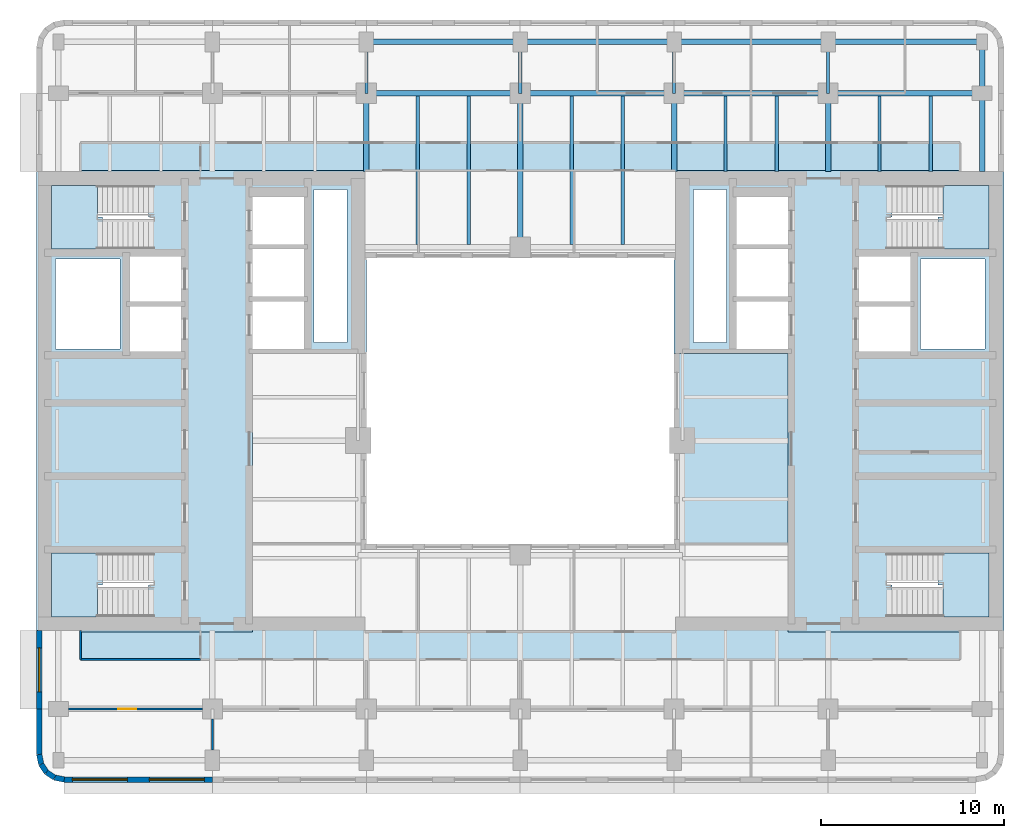
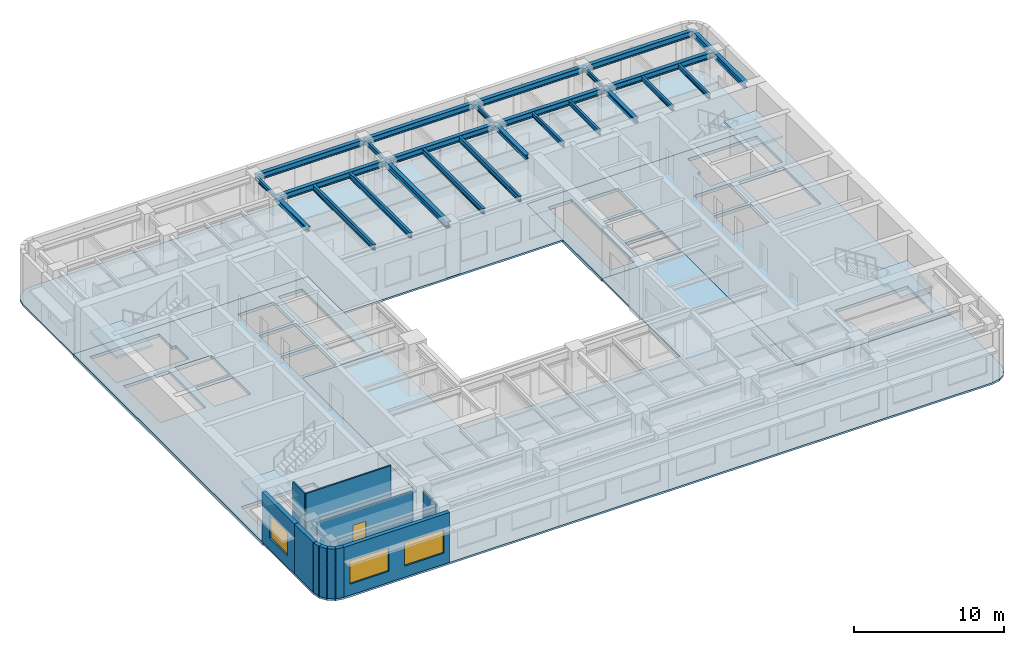
# One storey, part 2 of 11: 26 beams, 11 walls, 8 slabs, 3 windows, 1 door, 4 openings, 4 elements without a shape of their own.
"""IFC4 building model written with IfcOpenShell, lengths in metres."""

from ifc_helpers import new_model, si_unit, direction, frame, frame_2d, origin, origin_2d, place, context, subcontext, project, spatial, polyline, rectangle, i_section, outline, extrude, material, layer, layer_set, material_profile, profile_set, type_object, element, fill, aggregate, save


model = new_model("IFC4")

# Units and contexts
model_context = context("Model", 3, precision=1e-05, world=origin(), true_north=direction((0.0, 1.0)))
body_context = subcontext(model_context, "Body", "Model", "MODEL_VIEW")
ifc_project = project(units=[si_unit("LENGTHUNIT", "METRE"), si_unit("AREAUNIT", "SQUARE_METRE"), si_unit("VOLUMEUNIT", "CUBIC_METRE"), si_unit("PLANEANGLEUNIT", "RADIAN"), si_unit("MASSUNIT", "GRAM", prefix="KILO")], contexts=[model_context])

# Site, building, storey
site_placement = place(None, origin())
site = spatial("IfcSite", under=ifc_project, at=site_placement, CompositionType="ELEMENT")
building_placement = place(site_placement, origin())
building = spatial("IfcBuilding", under=site, at=building_placement, Name="Claustro Exchange Tower", CompositionType="ELEMENT")
storey_placement = place(building_placement, frame((0.0, 0.0, 219.60009765625)))
storey = spatial("IfcBuildingStorey", under=building, at=storey_placement, Name="L50", CompositionType="ELEMENT", Elevation=219.60009765625)

# Beams
ifc_material_1 = material(Name="Steel S355", Category="steel")
ifc_material_profile_1 = material_profile(ifc_material_1, i_section(OverallWidth=0.169921875, OverallDepth=0.360107421875, WebThickness=0.008056640625, FlangeThickness=0.0126953125, FilletRadius=0.01806640625, at=origin_2d()), Name="IPE 360")
ifc_profile_set_1 = profile_set([ifc_material_profile_1], Name="Steel S355")
beam_type_1 = type_object("IfcBeamType", Name="B16 IPE 360 short-span beam", PredefinedType="BEAM", material=ifc_profile_set_1)
for number, where, z_axis, x_axis, name in (
    (1, (16.800048828125, 42.0, 3.869873046875), (0.0, 1.0, 0.0), (-1.0, 0.0, 0.0), "Beam B16 L51"),
    (2, (25.199951171875, 42.0, 3.869873046875), (0.0, 1.0, 0.0), (-1.0, 0.0, 0.0), "Beam B16 L51"),
    (3, (33.60009765625, 42.0, 3.869873046875), (0.0, 1.0, 0.0), (-1.0, 0.0, 0.0), "Beam B16 L51"),
    (4, (42.0, 42.0, 3.869873046875), (0.0, 1.0, 0.0), (-1.0, 0.0, 0.0), "Beam B16 L51"),
):
    element("IfcBeam", number, at=place(storey_placement, frame(where, z_axis=z_axis, x_axis=x_axis)), inside=storey, type_object=beam_type_1, Name=name, PredefinedType="BEAM", context=body_context, shape_type="SweptSolid", body=[
        extrude(i_section(OverallWidth=0.169921875, OverallDepth=0.360107421875, WebThickness=0.008056640625, FlangeThickness=0.0126953125, FilletRadius=0.01806640625, at=origin_2d()), origin(), (0.0, 0.0, 1.0), 2.800048828125),
    ])
for number, where, z_axis, x_axis, name in (
    (5, (36.39990234375, 37.72509765625, 3.869873046875), (0.0, 1.0, 0.0), (-1.0, 0.0, 0.0), "Beam B16 L51"),
    (6, (39.199951171875, 37.72509765625, 3.869873046875), (0.0, 1.0, 0.0), (-1.0, 0.0, 0.0), "Beam B16 L51"),
    (7, (44.800048828125, 37.72509765625, 3.869873046875), (0.0, 1.0, 0.0), (-1.0, 0.0, 0.0), "Beam B16 L51"),
    (8, (47.60009765625, 37.72509765625, 3.869873046875), (0.0, 1.0, 0.0), (-1.0, 0.0, 0.0), "Beam B16 L51"),
):
    element("IfcBeam", number, at=place(storey_placement, frame(where, z_axis=z_axis, x_axis=x_axis)), inside=storey, type_object=beam_type_1, Name=name, PredefinedType="BEAM", context=body_context, shape_type="SweptSolid", body=[
        extrude(i_section(OverallWidth=0.169921875, OverallDepth=0.360107421875, WebThickness=0.008056640625, FlangeThickness=0.0126953125, FilletRadius=0.01806640625, at=origin_2d()), origin(), (0.0, 0.0, 1.0), 4.125),
    ])
ifc_material_2 = material(Name="Steel S355", Category="steel")
ifc_material_profile_2 = material_profile(ifc_material_2, i_section(OverallWidth=0.300048828125, OverallDepth=0.360107421875, WebThickness=0.012451171875, FlangeThickness=0.0224609375, FilletRadius=0.027099609375, at=origin_2d()), Name="HE 360 B")
ifc_profile_set_2 = profile_set([ifc_material_profile_2], Name="Steel S355")
beam_type_2 = type_object("IfcBeamType", Name="B29 HE 360 B column to core link beam", PredefinedType="BEAM", material=ifc_profile_set_2)
for number, where, z_axis, x_axis, name in (
    (9, (16.800048828125, 37.72509765625, 3.869873046875), (0.0, 1.0, 0.0), (-1.0, 0.0, 0.0), "Beam B29 L51"),
    (10, (33.60009765625, 37.72509765625, 3.869873046875), (0.0, 1.0, 0.0), (-1.0, 0.0, 0.0), "Beam B29 L51"),
    (11, (42.0, 37.72509765625, 3.869873046875), (0.0, 1.0, 0.0), (-1.0, 0.0, 0.0), "Beam B29 L51"),
):
    element("IfcBeam", number, at=place(storey_placement, frame(where, z_axis=z_axis, x_axis=x_axis)), inside=storey, type_object=beam_type_2, Name=name, PredefinedType="BEAM", context=body_context, shape_type="SweptSolid", body=[
        extrude(i_section(OverallWidth=0.300048828125, OverallDepth=0.360107421875, WebThickness=0.012451171875, FlangeThickness=0.0224609375, FilletRadius=0.027099609375, at=origin_2d()), origin(), (0.0, 0.0, 1.0), 4.27490234375),
    ])
ifc_material_3 = material(Name="Steel S355", Category="steel")
ifc_material_profile_3 = material_profile(ifc_material_3, i_section(OverallWidth=0.300048828125, OverallDepth=0.5, WebThickness=0.014404296875, FlangeThickness=0.028076171875, FilletRadius=0.027099609375, at=origin_2d()), Name="HE 500 B")
ifc_profile_set_3 = profile_set([ifc_material_profile_3], Name="Steel S355")
beam_type_3 = type_object("IfcBeamType", Name="B7 HE 500 B floor girder", PredefinedType="BEAM", material=ifc_profile_set_3)
for number, where, z_axis, x_axis, name in (
    (12, (25.199951171875, 33.60009765625, 3.7998046875), (0.0, 1.0, 0.0), (-1.0, 0.0, 0.0), "Beam B7 L51"),
    (13, (16.800048828125, 42.0, 3.7998046875), (1.0, 0.0, 0.0), (0.0, 1.0, 0.0), "Beam B7 L51"),
):
    element("IfcBeam", number, at=place(storey_placement, frame(where, z_axis=z_axis, x_axis=x_axis)), inside=storey, type_object=beam_type_3, Name=name, PredefinedType="BEAM", context=body_context, shape_type="SweptSolid", body=[
        extrude(i_section(OverallWidth=0.300048828125, OverallDepth=0.5, WebThickness=0.014404296875, FlangeThickness=0.028076171875, FilletRadius=0.027099609375, at=origin_2d()), origin(), (0.0, 0.0, 1.0), 8.39990234375),
    ])
beam_1_placement = place(storey_placement, frame((25.199951171875, 42.0, 3.7998046875), z_axis=(1.0, 0.0, 0.0), x_axis=(0.0, 1.0, 0.0)))
element("IfcBeam", 14, at=beam_1_placement, inside=storey, type_object=beam_type_3, Name="Beam B7 L51", PredefinedType="BEAM", context=body_context, shape_type="SweptSolid", body=[
    extrude(i_section(OverallWidth=0.300048828125, OverallDepth=0.5, WebThickness=0.014404296875, FlangeThickness=0.028076171875, FilletRadius=0.027099609375, at=origin_2d()), origin(), (0.0, 0.0, 1.0), 8.400146484375),
])
for number, where, z_axis, x_axis, name in (
    (15, (33.60009765625, 42.0, 3.7998046875), (1.0, 0.0, 0.0), (0.0, 1.0, 0.0), "Beam B7 L51"),
    (16, (42.0, 42.0, 3.7998046875), (1.0, 0.0, 0.0), (0.0, 1.0, 0.0), "Beam B7 L51"),
):
    element("IfcBeam", number, at=place(storey_placement, frame(where, z_axis=z_axis, x_axis=x_axis)), inside=storey, type_object=beam_type_3, Name=name, PredefinedType="BEAM", context=body_context, shape_type="SweptSolid", body=[
        extrude(i_section(OverallWidth=0.300048828125, OverallDepth=0.5, WebThickness=0.014404296875, FlangeThickness=0.028076171875, FilletRadius=0.027099609375, at=origin_2d()), origin(), (0.0, 0.0, 1.0), 8.39990234375),
    ])
ifc_material_4 = material(Name="Steel S355", Category="steel")
ifc_material_profile_4 = material_profile(ifc_material_4, i_section(OverallWidth=0.18994140625, OverallDepth=0.449951171875, WebThickness=0.009521484375, FlangeThickness=0.0146484375, FilletRadius=0.02099609375, at=origin_2d()), Name="IPE 450")
ifc_profile_set_4 = profile_set([ifc_material_profile_4], Name="Steel S355")
beam_type_4 = type_object("IfcBeamType", Name="B8 IPE 450 secondary beam", PredefinedType="BEAM", material=ifc_profile_set_4)
for number, where, z_axis, x_axis, name in (
    (17, (19.60009765625, 33.75, 3.824951171875), (0.0, 1.0, 0.0), (-1.0, 0.0, 0.0), "Beam B8 L51"),
    (18, (22.39990234375, 33.75, 3.824951171875), (0.0, 1.0, 0.0), (-1.0, 0.0, 0.0), "Beam B8 L51"),
    (19, (28.0, 33.75, 3.824951171875), (0.0, 1.0, 0.0), (-1.0, 0.0, 0.0), "Beam B8 L51"),
    (20, (30.800048828125, 33.75, 3.824951171875), (0.0, 1.0, 0.0), (-1.0, 0.0, 0.0), "Beam B8 L51"),
):
    element("IfcBeam", number, at=place(storey_placement, frame(where, z_axis=z_axis, x_axis=x_axis)), inside=storey, type_object=beam_type_4, Name=name, PredefinedType="BEAM", context=body_context, shape_type="SweptSolid", body=[
        extrude(i_section(OverallWidth=0.18994140625, OverallDepth=0.449951171875, WebThickness=0.009521484375, FlangeThickness=0.0146484375, FilletRadius=0.02099609375, at=origin_2d()), origin(), (0.0, 0.0, 1.0), 8.10009765625),
    ])
ifc_material_5 = material(Name="Steel S355", Category="steel")
ifc_material_profile_5 = material_profile(ifc_material_5, i_section(OverallWidth=0.300048828125, OverallDepth=0.489990234375, WebThickness=0.011962890625, FlangeThickness=0.02294921875, FilletRadius=0.027099609375, at=origin_2d()), Name="HE 500 A")
ifc_profile_set_5 = profile_set([ifc_material_profile_5], Name="Steel S355")
beam_type_5 = type_object("IfcBeamType", Name="B9 HE 500 A spandrel edge girder", PredefinedType="SPANDREL", material=ifc_profile_set_5)
beam_2_placement = place(storey_placement, frame((50.39990234375, 37.72509765625, 3.804931640625), z_axis=(0.0, 1.0, 0.0), x_axis=(-1.0, 0.0, 0.0)))
element("IfcBeam", 21, at=beam_2_placement, inside=storey, type_object=beam_type_5, Name="Beam B9 L51", PredefinedType="SPANDREL", context=body_context, shape_type="SweptSolid", body=[
    extrude(i_section(OverallWidth=0.300048828125, OverallDepth=0.489990234375, WebThickness=0.011962890625, FlangeThickness=0.02294921875, FilletRadius=0.027099609375, at=origin_2d()), origin(), (0.0, 0.0, 1.0), 4.27490234375),
])
beam_3_placement = place(storey_placement, frame((50.39990234375, 42.0, 3.804931640625), z_axis=(0.0, 1.0, 0.0), x_axis=(-1.0, 0.0, 0.0)))
element("IfcBeam", 22, at=beam_3_placement, inside=storey, type_object=beam_type_5, Name="Beam B9 L51", PredefinedType="SPANDREL", context=body_context, shape_type="SweptSolid", body=[
    extrude(i_section(OverallWidth=0.300048828125, OverallDepth=0.489990234375, WebThickness=0.011962890625, FlangeThickness=0.02294921875, FilletRadius=0.027099609375, at=origin_2d()), origin(), (0.0, 0.0, 1.0), 2.800048828125),
])
beam_4_placement = place(storey_placement, frame((16.800048828125, 44.800048828125, 3.804931640625), z_axis=(1.0, 0.0, 0.0), x_axis=(0.0, 1.0, 0.0)))
element("IfcBeam", 23, at=beam_4_placement, inside=storey, type_object=beam_type_5, Name="Beam B9 L51", PredefinedType="SPANDREL", context=body_context, shape_type="SweptSolid", body=[
    extrude(i_section(OverallWidth=0.300048828125, OverallDepth=0.489990234375, WebThickness=0.011962890625, FlangeThickness=0.02294921875, FilletRadius=0.027099609375, at=origin_2d()), origin(), (0.0, 0.0, 1.0), 8.39990234375),
])
beam_5_placement = place(storey_placement, frame((25.199951171875, 44.800048828125, 3.804931640625), z_axis=(1.0, 0.0, 0.0), x_axis=(0.0, 1.0, 0.0)))
element("IfcBeam", 24, at=beam_5_placement, inside=storey, type_object=beam_type_5, Name="Beam B9 L51", PredefinedType="SPANDREL", context=body_context, shape_type="SweptSolid", body=[
    extrude(i_section(OverallWidth=0.300048828125, OverallDepth=0.489990234375, WebThickness=0.011962890625, FlangeThickness=0.02294921875, FilletRadius=0.027099609375, at=origin_2d()), origin(), (0.0, 0.0, 1.0), 8.400146484375),
])
for number, where, z_axis, x_axis, name in (
    (25, (33.60009765625, 44.800048828125, 3.804931640625), (1.0, 0.0, 0.0), (0.0, 1.0, 0.0), "Beam B9 L51"),
    (26, (42.0, 44.800048828125, 3.804931640625), (1.0, 0.0, 0.0), (0.0, 1.0, 0.0), "Beam B9 L51"),
):
    element("IfcBeam", number, at=place(storey_placement, frame(where, z_axis=z_axis, x_axis=x_axis)), inside=storey, type_object=beam_type_5, Name=name, PredefinedType="SPANDREL", context=body_context, shape_type="SweptSolid", body=[
        extrude(i_section(OverallWidth=0.300048828125, OverallDepth=0.489990234375, WebThickness=0.011962890625, FlangeThickness=0.02294921875, FilletRadius=0.027099609375, at=origin_2d()), origin(), (0.0, 0.0, 1.0), 8.39990234375),
    ])

# Slabs
ifc_material_6 = material(Name="Concrete HA-50 (C50/60)", Category="concrete")
ifc_layer_1 = layer(ifc_material_6, 0.14990234375)
ifc_layer_set_1 = layer_set([ifc_layer_1], Name="Concrete HA-50 (C50/60)")
slab_type_1 = type_object("IfcSlabType", Name="S2 150 composite floor slab", PredefinedType="FLOOR", material=ifc_layer_set_1)
slab_1_placement = place(storey_placement, frame((0.0, 0.0, -0.150146484375)))
element("IfcSlab", 27, at=slab_1_placement, inside=storey, type_object=slab_type_1, Name="Floor slab S2 S L50", PredefinedType="FLOOR", context=body_context, shape_type="SweptSolid", body=[
    extrude(outline(polyline([(-0.27392578125, 4.51416015625), (0.300048828125, 4.39990234375), (50.10009765625, 4.39990234375), (50.674072265625, 4.51416015625), (51.16064453125, 4.83935546875), (51.48583984375, 5.325927734375), (51.60009765625, 5.89990234375), (51.60009765625, 12.60009765625), (39.800048828125, 12.60009765625), (39.800048828125, 27.800048828125), (33.60009765625, 27.800048828125), (33.60009765625, 17.39990234375), (16.800048828125, 17.39990234375), (16.800048828125, 27.800048828125), (10.60009765625, 27.800048828125), (10.60009765625, 12.60009765625), (-1.199951171875, 12.60009765625), (-1.199951171875, 5.89990234375), (-1.085693359375, 5.325927734375), (-0.7607421875, 4.83935546875), (-0.27392578125, 4.51416015625)])), origin(), (0.0, 0.0, 1.0), 0.150146484375),
])
slab_2_placement = place(storey_placement, frame((0.0, 0.0, -0.150146484375)))
element("IfcSlab", 28, at=slab_2_placement, inside=storey, type_object=slab_type_1, Name="Floor slab S2 N L50", PredefinedType="FLOOR", context=body_context, shape_type="SweptSolid", body=[
    extrude(outline(polyline([(16.800048828125, 37.800048828125), (16.800048828125, 33.0), (33.60009765625, 33.0), (33.60009765625, 37.800048828125), (51.60009765625, 37.800048828125), (51.60009765625, 44.5), (51.48583984375, 45.073974609375), (51.16064453125, 45.560791015625), (50.674072265625, 45.8857421875), (50.10009765625, 46.0), (0.300048828125, 46.0), (-0.27392578125, 45.8857421875), (-0.7607421875, 45.560791015625), (-1.085693359375, 45.073974609375), (-1.199951171875, 44.5), (-1.199951171875, 37.800048828125), (16.800048828125, 37.800048828125)])), origin(), (0.0, 0.0, 1.0), 0.150146484375),
])
ifc_material_7 = material(Name="Concrete HA-50 (C50/60)", Category="concrete")
ifc_layer_2 = layer(ifc_material_7, 0.25)
ifc_layer_set_2 = layer_set([ifc_layer_2], Name="Concrete HA-50 (C50/60)")
slab_type_2 = type_object("IfcSlabType", Name="S7 250 core floor slab", PredefinedType="FLOOR", material=ifc_layer_set_2)
slab_3_placement = place(storey_placement, frame((0.0, 0.0, -0.25)))
element("IfcSlab", 29, at=slab_3_placement, inside=storey, type_object=slab_type_2, Name="Core floor slab S7 W core L50", PredefinedType="FLOOR", context=body_context, shape_type="SweptSolid", body=[
    extrude(outline(polyline([(-1.199951171875, 37.800048828125), (-1.199951171875, 12.60009765625), (10.60009765625, 12.60009765625), (10.60009765625, 27.800048828125), (16.800048828125, 27.800048828125), (16.800048828125, 37.800048828125), (-1.199951171875, 37.800048828125)]), holes=[polyline([(13.949951171875, 36.75), (15.75, 36.75), (15.75, 28.39990234375), (13.949951171875, 28.39990234375), (13.949951171875, 36.75)]), polyline([(10.60009765625, 30.64990234375), (13.39990234375, 30.64990234375), (13.39990234375, 28.050048828125), (10.60009765625, 28.050048828125), (10.60009765625, 30.64990234375)]), polyline([(10.60009765625, 33.5), (13.39990234375, 33.5), (13.39990234375, 30.89990234375), (10.60009765625, 30.89990234375), (10.60009765625, 33.5)]), polyline([(13.39990234375, 36.35009765625), (13.39990234375, 33.75), (10.60009765625, 33.75), (10.60009765625, 36.35009765625), (13.39990234375, 36.35009765625)]), polyline([(3.89990234375, 30.375), (6.699951171875, 30.375), (6.699951171875, 27.89990234375), (3.89990234375, 27.89990234375), (3.89990234375, 30.375)]), polyline([(3.89990234375, 33.10009765625), (6.699951171875, 33.10009765625), (6.699951171875, 30.625), (3.89990234375, 30.625), (3.89990234375, 33.10009765625)]), polyline([(-0.375, 15.16259765625), (-0.375, 16.89990234375), (5.195068359375, 16.89990234375), (5.195068359375, 15.16259765625), (4.919921875, 15.16259765625), (4.919921875, 13.425048828125), (-0.375, 13.425048828125), (-0.375, 15.16259765625)]), polyline([(-0.375, 35.237548828125), (-0.375, 36.97509765625), (4.919921875, 36.97509765625), (4.919921875, 35.237548828125), (5.195068359375, 35.237548828125), (5.195068359375, 33.5), (-0.375, 33.5), (-0.375, 35.237548828125)]), polyline([(-0.14990234375, 32.949951171875), (3.35009765625, 32.949951171875), (3.35009765625, 28.050048828125), (-0.14990234375, 28.050048828125), (-0.14990234375, 32.949951171875)])]), origin(), (0.0, 0.0, 1.0), 0.25),
])
slab_4_placement = place(storey_placement, frame((0.0, 0.0, -0.25)))
element("IfcSlab", 30, at=slab_4_placement, inside=storey, type_object=slab_type_2, Name="Core floor slab S7 E core L50", PredefinedType="FLOOR", context=body_context, shape_type="SweptSolid", body=[
    extrude(outline(polyline([(51.60009765625, 37.800048828125), (33.60009765625, 37.800048828125), (33.60009765625, 27.800048828125), (39.800048828125, 27.800048828125), (39.800048828125, 12.60009765625), (51.60009765625, 12.60009765625), (51.60009765625, 37.800048828125)]), holes=[polyline([(45.47998046875, 15.16259765625), (45.205078125, 15.16259765625), (45.205078125, 16.89990234375), (50.77490234375, 16.89990234375), (50.77490234375, 15.16259765625), (50.77490234375, 13.425048828125), (45.47998046875, 13.425048828125), (45.47998046875, 15.16259765625)]), polyline([(45.47998046875, 35.237548828125), (45.47998046875, 36.97509765625), (50.77490234375, 36.97509765625), (50.77490234375, 35.237548828125), (50.77490234375, 33.5), (45.205078125, 33.5), (45.205078125, 35.237548828125), (45.47998046875, 35.237548828125)]), polyline([(47.050048828125, 32.949951171875), (50.550048828125, 32.949951171875), (50.550048828125, 28.050048828125), (47.050048828125, 28.050048828125), (47.050048828125, 32.949951171875)]), polyline([(43.699951171875, 30.375), (46.5, 30.375), (46.5, 27.89990234375), (43.699951171875, 27.89990234375), (43.699951171875, 30.375)]), polyline([(43.699951171875, 33.10009765625), (46.5, 33.10009765625), (46.5, 30.625), (43.699951171875, 30.625), (43.699951171875, 33.10009765625)]), polyline([(37.0, 30.64990234375), (39.800048828125, 30.64990234375), (39.800048828125, 28.050048828125), (37.0, 28.050048828125), (37.0, 30.64990234375)]), polyline([(37.0, 33.5), (39.800048828125, 33.5), (39.800048828125, 30.89990234375), (37.0, 30.89990234375), (37.0, 33.5)]), polyline([(39.800048828125, 36.35009765625), (39.800048828125, 33.75), (37.0, 33.75), (37.0, 36.35009765625), (39.800048828125, 36.35009765625)]), polyline([(34.64990234375, 36.75), (36.449951171875, 36.75), (36.449951171875, 28.39990234375), (34.64990234375, 28.39990234375), (34.64990234375, 36.75)])]), origin(), (0.0, 0.0, 1.0), 0.25),
])

# Stair, slab
ifc_material_8 = material(Name="Concrete HA-30 (C30/37), precast", Category="concrete")
stair_type = type_object("IfcStairType", Name="ST1 half-turn stair, 24 risers of 175", PredefinedType="HALF_TURN_STAIR", material=ifc_material_8)
stair_1_placement = place(storey_placement, origin())
stair_1 = element("IfcStair", 31, at=stair_1_placement, inside=storey, type_object=stair_type, Name="Stair STWA L50", PredefinedType="HALF_TURN_STAIR")
ifc_material_9 = material(Name="Concrete HA-30 (C30/37), precast", Category="concrete")
ifc_layer_3 = layer(ifc_material_9, 0.199951171875)
ifc_layer_set_3 = layer_set([ifc_layer_3], Name="Concrete HA-30 (C30/37), precast")
slab_type_3 = type_object("IfcSlabType", Name="S9 200 stair landing", PredefinedType="LANDING", material=ifc_layer_set_3)
slab_5_placement = place(storey_placement, frame((0.0, 0.0, 1.89990234375)))
slab_5 = element("IfcSlab", 32, at=slab_5_placement, type_object=slab_type_3, Name="STWA landing 1", PredefinedType="LANDING", context=body_context, shape_type="SweptSolid", body=[
    extrude(outline(polyline([(2.125, 13.425048828125), (-0.375, 13.425048828125), (-0.375, 16.89990234375), (2.1201171875, 16.89990234375), (2.125, 16.89990234375), (2.39990234375, 16.89990234375), (2.39990234375, 15.16259765625), (2.125, 15.16259765625), (2.125, 13.425048828125)])), origin(), (0.0, 0.0, 1.0), 0.199951171875),
])
aggregate(stair_1, [slab_5])

stair_2_placement = place(storey_placement, origin())
stair_2 = element("IfcStair", 33, at=stair_2_placement, inside=storey, type_object=stair_type, Name="Stair STWB L50", PredefinedType="HALF_TURN_STAIR")
slab_6_placement = place(storey_placement, frame((0.0, 0.0, 1.89990234375)))
slab_6 = element("IfcSlab", 34, at=slab_6_placement, type_object=slab_type_3, Name="STWB landing 1", PredefinedType="LANDING", context=body_context, shape_type="SweptSolid", body=[
    extrude(outline(polyline([(2.39990234375, 35.237548828125), (2.39990234375, 33.5), (2.125, 33.5), (2.1201171875, 33.5), (-0.375, 33.5), (-0.375, 36.97509765625), (2.125, 36.97509765625), (2.125, 35.237548828125), (2.39990234375, 35.237548828125)])), origin(), (0.0, 0.0, 1.0), 0.199951171875),
])
aggregate(stair_2, [slab_6])

stair_3_placement = place(storey_placement, origin())
stair_3 = element("IfcStair", 35, at=stair_3_placement, inside=storey, type_object=stair_type, Name="Stair STEA L50", PredefinedType="HALF_TURN_STAIR")
slab_7_placement = place(storey_placement, frame((0.0, 0.0, 1.89990234375)))
slab_7 = element("IfcSlab", 36, at=slab_7_placement, type_object=slab_type_3, Name="STEA landing 1", PredefinedType="LANDING", context=body_context, shape_type="SweptSolid", body=[
    extrude(outline(polyline([(50.77490234375, 16.89990234375), (50.77490234375, 13.425048828125), (48.27490234375, 13.425048828125), (48.27490234375, 15.16259765625), (48.0, 15.16259765625), (48.0, 16.89990234375), (48.27490234375, 16.89990234375), (48.280029296875, 16.89990234375), (50.77490234375, 16.89990234375)])), origin(), (0.0, 0.0, 1.0), 0.199951171875),
])
aggregate(stair_3, [slab_7])

stair_4_placement = place(storey_placement, origin())
stair_4 = element("IfcStair", 37, at=stair_4_placement, inside=storey, type_object=stair_type, Name="Stair STEB L50", PredefinedType="HALF_TURN_STAIR")
slab_8_placement = place(storey_placement, frame((0.0, 0.0, 1.89990234375)))
slab_8 = element("IfcSlab", 38, at=slab_8_placement, type_object=slab_type_3, Name="STEB landing 1", PredefinedType="LANDING", context=body_context, shape_type="SweptSolid", body=[
    extrude(outline(polyline([(48.0, 33.5), (48.0, 35.237548828125), (48.27490234375, 35.237548828125), (48.27490234375, 36.97509765625), (50.77490234375, 36.97509765625), (50.77490234375, 33.5), (48.280029296875, 33.5), (48.27490234375, 33.5), (48.0, 33.5)])), origin(), (0.0, 0.0, 1.0), 0.199951171875),
])
aggregate(stair_4, [slab_8])

# Wall, opening, door
ifc_material_10 = material(Name="Laminated glass in aluminium frame", Category="aluminium")
ifc_layer_4 = layer(ifc_material_10, 0.1201171875)
ifc_layer_set_4 = layer_set([ifc_layer_4], Name="Laminated glass in aluminium frame")
wall_type_1 = type_object("IfcWallType", Name="P2 120 glazed partition", PredefinedType="PARTITIONING", material=ifc_layer_set_4)
wall_1_placement = place(storey_placement, frame((0.549072265625, 8.39990234375, 0.0), z_axis=(0.0, 0.0, 1.0), x_axis=(1.0, 0.0, 0.0)))
wall_1 = element("IfcWall", 39, at=wall_1_placement, inside=storey, type_object=wall_type_1, Name="Partition P2 L50", PredefinedType="PARTITIONING", context=body_context, shape_type="SweptSolid", body=[
    extrude(rectangle(XDim=7.302001953125, YDim=0.1201171875, at=frame_2d((3.65087890625, 0.0))), origin(), (0.0, 0.0, 1.0), 3.5498046875),
])
opening_1_placement = place(wall_1_placement, frame((2.700927734375, 0.0, 0.0)))
opening_1 = element("IfcOpeningElement", 40, at=opening_1_placement, cuts=wall_1, Name="Opening D7", PredefinedType="OPENING", context=body_context, shape_type="SweptSolid", body=[
    extrude(rectangle(XDim=1.0, YDim=2.39990234375, at=frame_2d((0.5, 1.199951171875))), frame((0.0, 0.070068359375, 0.0), z_axis=(0.0, -1.0, 0.0), x_axis=(1.0, 0.0, 0.0)), (0.0, 0.0, 1.0), 0.14013671875),
])
ifc_material_11 = material(Name="Glass door in aluminium frame", Category="aluminium")
door_type = type_object("IfcDoorType", Name="D7 1000 x 2400 glazed door", OperationType="SINGLE_SWING_LEFT", PredefinedType="DOOR", material=ifc_material_11)
door_placement = place(opening_1_placement, frame((1.0, 0.0, 0.0), z_axis=(0.0, 0.0, 1.0), x_axis=(-1.0, 0.0, 0.0)))
door = element("IfcDoor", 41, at=door_placement, inside=storey, type_object=door_type, Name="Door D7 L50", OperationType="SINGLE_SWING_LEFT", OverallHeight=2.39990234375, OverallWidth=1.0, PredefinedType="DOOR", context=body_context, shape_type="SweptSolid", body=[
    extrude(rectangle(XDim=1.0, YDim=2.39990234375, at=frame_2d((0.5, 1.199951171875))), frame((0.0, 0.02490234375, 0.0), z_axis=(0.0, -1.0, 0.0), x_axis=(1.0, 0.0, 0.0)), (0.0, 0.0, 1.0), 0.050048828125),
])
fill(opening_1, door)

# Walls
wall_2_placement = place(storey_placement, frame((8.39990234375, 6.14892578125, 0.0), z_axis=(0.0, 0.0, 1.0), x_axis=(0.0, 1.0, 0.0)))
element("IfcWall", 42, at=wall_2_placement, inside=storey, type_object=wall_type_1, Name="Partition P2 L50", PredefinedType="PARTITIONING", context=body_context, shape_type="SweptSolid", body=[
    extrude(rectangle(XDim=1.7021484375, YDim=0.1201171875, at=frame_2d((0.85107421875, 0.0))), origin(), (0.0, 0.0, 1.0), 3.68994140625),
])
wall_3_placement = place(storey_placement, frame((1.199951171875, 11.10009765625, 0.0), z_axis=(0.0, 0.0, 1.0), x_axis=(1.0, 0.0, 0.0)))
element("IfcWall", 43, at=wall_3_placement, inside=storey, type_object=wall_type_1, Name="Partition P2 L50", PredefinedType="PARTITIONING", context=body_context, shape_type="SweptSolid", body=[
    extrude(rectangle(XDim=6.552001953125, YDim=0.1201171875, at=frame_2d((3.27587890625, 0.0))), origin(), (0.0, 0.0, 1.0), 4.0498046875),
])
wall_4_placement = place(storey_placement, frame((1.199951171875, 11.10009765625, 0.0), z_axis=(0.0, 0.0, 1.0), x_axis=(0.0, 1.0, 0.0)))
element("IfcWall", 44, at=wall_4_placement, inside=storey, type_object=wall_type_1, Name="Partition P2 L50", PredefinedType="PARTITIONING", context=body_context, shape_type="SweptSolid", body=[
    extrude(rectangle(XDim=1.575927734375, YDim=0.1201171875, at=frame_2d((0.7880859375, 0.0))), origin(), (0.0, 0.0, 1.0), 4.0498046875),
])

# Wall, openings, windows
ifc_material_12 = material(Name="Concrete HA-40 (C40/50), precast, white cement, acid-etched", Category="concrete")
ifc_layer_5 = layer(ifc_material_12, 0.300048828125)
ifc_layer_set_5 = layer_set([ifc_layer_5], Name="Concrete HA-40 (C40/50), precast, white cement, acid-etched")
wall_type_2 = type_object("IfcWallType", Name="PC1 300 precast concrete pier panel", PredefinedType="SOLIDWALL", material=ifc_layer_set_5)
wall_5_placement = place(storey_placement, frame((8.39990234375, 4.550048828125, 0.0), z_axis=(0.0, 0.0, 1.0), x_axis=(-1.0, 0.0, 0.0)))
wall_5 = element("IfcWall", 45, at=wall_5_placement, inside=storey, type_object=wall_type_2, Name="Precast pier panel PC1 L50", PredefinedType="SOLIDWALL", context=body_context, shape_type="SweptSolid", body=[
    extrude(rectangle(XDim=8.085205078125, YDim=0.300048828125, at=frame_2d((4.04248046875, 0.0))), origin(), (0.0, 0.0, 1.0), 4.0498046875),
])
opening_2_placement = place(wall_5_placement, frame((0.442626953125, 0.0, 0.89990234375)))
opening_2 = element("IfcOpeningElement", 46, at=opening_2_placement, cuts=wall_5, Name="Opening W1", PredefinedType="OPENING", context=body_context, shape_type="SweptSolid", body=[
    extrude(rectangle(XDim=3.0, YDim=1.89990234375, at=frame_2d((1.5, 0.949951171875))), frame((0.0, 0.159912109375, 0.0), z_axis=(0.0, -1.0, 0.0), x_axis=(1.0, 0.0, 0.0)), (0.0, 0.0, 1.0), 0.320068359375),
])
opening_3_placement = place(wall_5_placement, frame((4.642578125, 0.0, 0.89990234375)))
opening_3 = element("IfcOpeningElement", 47, at=opening_3_placement, cuts=wall_5, Name="Opening W1", PredefinedType="OPENING", context=body_context, shape_type="SweptSolid", body=[
    extrude(rectangle(XDim=3.0, YDim=1.89990234375, at=frame_2d((1.5, 0.949951171875))), frame((0.0, 0.159912109375, 0.0), z_axis=(0.0, -1.0, 0.0), x_axis=(1.0, 0.0, 0.0)), (0.0, 0.0, 1.0), 0.320068359375),
])
ifc_material_13 = material(Name="Aluminium frame, clear double glazing", Category="aluminium")
window_type_1 = type_object("IfcWindowType", Name="W1 3000 x 1900 window", PartitioningType="SINGLE_PANEL", PredefinedType="WINDOW", material=ifc_material_13)
window_1_placement = place(opening_2_placement, origin())
window_1 = element("IfcWindow", 48, at=window_1_placement, inside=storey, type_object=window_type_1, Name="Window W1 L50", OverallHeight=1.89990234375, OverallWidth=3.0, PartitioningType="SINGLE_PANEL", PredefinedType="WINDOW", context=body_context, shape_type="SweptSolid", body=[
    extrude(rectangle(XDim=3.0, YDim=1.89990234375, at=frame_2d((1.5, 0.949951171875))), frame((0.0, 0.030029296875, 0.0), z_axis=(0.0, -1.0, 0.0), x_axis=(1.0, 0.0, 0.0)), (0.0, 0.0, 1.0), 0.06005859375),
])
fill(opening_2, window_1)
window_2_placement = place(opening_3_placement, origin())
window_2 = element("IfcWindow", 49, at=window_2_placement, inside=storey, type_object=window_type_1, Name="Window W1 L50", OverallHeight=1.89990234375, OverallWidth=3.0, PartitioningType="SINGLE_PANEL", PredefinedType="WINDOW", context=body_context, shape_type="SweptSolid", body=[
    extrude(rectangle(XDim=3.0, YDim=1.89990234375, at=frame_2d((1.5, 0.949951171875))), frame((0.0, 0.030029296875, 0.0), z_axis=(0.0, -1.0, 0.0), x_axis=(1.0, 0.0, 0.0)), (0.0, 0.0, 1.0), 0.06005859375),
])
fill(opening_3, window_2)

# Walls
wall_6_placement = place(storey_placement, frame((0.314697265625, 4.550048828125, 0.0), z_axis=(0.0, 0.0, 1.0), x_axis=(-0.980788534345, 0.195073962632, 0.0)))
element("IfcWall", 50, at=wall_6_placement, inside=storey, type_object=wall_type_2, Name="Precast pier panel PC1 L50", PredefinedType="SOLIDWALL", context=body_context, shape_type="SweptSolid", body=[
    extrude(rectangle(XDim=0.540771484375, YDim=0.300048828125, at=frame_2d((0.2705078125, 0.0))), origin(), (0.0, 0.0, 1.0), 4.0498046875),
])
for number, where, z_axis, x_axis, name in (
    (51, (-0.215576171875, 4.655517578125, 0.0), (0.0, 0.0, 1.0), (-0.831478144188, 0.555557463938, 0.0), "Precast pier panel PC1 L50"),
    (52, (-0.652587890625, 4.947509765625, 0.0), (0.0, 0.0, 1.0), (-0.555557463938, 0.831478144188, 0.0), "Precast pier panel PC1 L50"),
):
    element("IfcWall", number, at=place(storey_placement, frame(where, z_axis=z_axis, x_axis=x_axis)), inside=storey, type_object=wall_type_2, Name=name, PredefinedType="SOLIDWALL", context=body_context, shape_type="SweptSolid", body=[
        extrude(rectangle(XDim=0.525634765625, YDim=0.300048828125, at=frame_2d((0.2626953125, 0.0))), origin(), (0.0, 0.0, 1.0), 4.0498046875),
    ])
wall_7_placement = place(storey_placement, frame((-0.944580078125, 5.384521484375, 0.0), z_axis=(0.0, 0.0, 1.0), x_axis=(-0.195073962632, 0.980788534345, 0.0)))
element("IfcWall", 53, at=wall_7_placement, inside=storey, type_object=wall_type_2, Name="Precast pier panel PC1 L50", PredefinedType="SOLIDWALL", context=body_context, shape_type="SweptSolid", body=[
    extrude(rectangle(XDim=0.540771484375, YDim=0.300048828125, at=frame_2d((0.2705078125, 0.0))), origin(), (0.0, 0.0, 1.0), 4.0498046875),
])
wall_8_placement = place(storey_placement, frame((-1.050048828125, 5.914794921875, 0.0), z_axis=(0.0, 0.0, 1.0), x_axis=(0.0, 1.0, 0.0)))
element("IfcWall", 54, at=wall_8_placement, inside=storey, type_object=wall_type_2, Name="Precast pier panel PC1 L50", PredefinedType="SOLIDWALL", context=body_context, shape_type="SweptSolid", body=[
    extrude(rectangle(XDim=2.485107421875, YDim=0.300048828125, at=frame_2d((1.24267578125, 0.0))), origin(), (0.0, 0.0, 1.0), 4.0498046875),
])

# Wall, opening, window
wall_9_placement = place(storey_placement, frame((-1.050048828125, 8.39990234375, 0.0), z_axis=(0.0, 0.0, 1.0), x_axis=(0.0, 1.0, 0.0)))
wall_9 = element("IfcWall", 55, at=wall_9_placement, inside=storey, type_object=wall_type_2, Name="Precast pier panel PC1 L50", PredefinedType="SOLIDWALL", context=body_context, shape_type="SweptSolid", body=[
    extrude(rectangle(XDim=4.275146484375, YDim=0.300048828125, at=frame_2d((2.1376953125, 0.0))), origin(), (0.0, 0.0, 1.0), 4.0498046875),
])
opening_4_placement = place(wall_9_placement, frame((0.9375, 0.0, 0.89990234375)))
opening_4 = element("IfcOpeningElement", 56, at=opening_4_placement, cuts=wall_9, Name="Opening W2", PredefinedType="OPENING", context=body_context, shape_type="SweptSolid", body=[
    extrude(rectangle(XDim=2.39990234375, YDim=1.89990234375, at=frame_2d((1.199951171875, 0.949951171875))), frame((0.0, 0.159912109375, 0.0), z_axis=(0.0, -1.0, 0.0), x_axis=(1.0, 0.0, 0.0)), (0.0, 0.0, 1.0), 0.320068359375),
])
ifc_material_14 = material(Name="Aluminium frame, clear double glazing", Category="aluminium")
window_type_2 = type_object("IfcWindowType", Name="W2 2400 x 1900 window", PartitioningType="SINGLE_PANEL", PredefinedType="WINDOW", material=ifc_material_14)
window_3_placement = place(opening_4_placement, origin())
window_3 = element("IfcWindow", 57, at=window_3_placement, inside=storey, type_object=window_type_2, Name="Window W2 L50", OverallHeight=1.89990234375, OverallWidth=2.39990234375, PartitioningType="SINGLE_PANEL", PredefinedType="WINDOW", context=body_context, shape_type="SweptSolid", body=[
    extrude(rectangle(XDim=2.39990234375, YDim=1.89990234375, at=frame_2d((1.199951171875, 0.949951171875))), frame((0.0, 0.030029296875, 0.0), z_axis=(0.0, -1.0, 0.0), x_axis=(1.0, 0.0, 0.0)), (0.0, 0.0, 1.0), 0.06005859375),
])
fill(opening_4, window_3)

save(model, "model.ifc")
